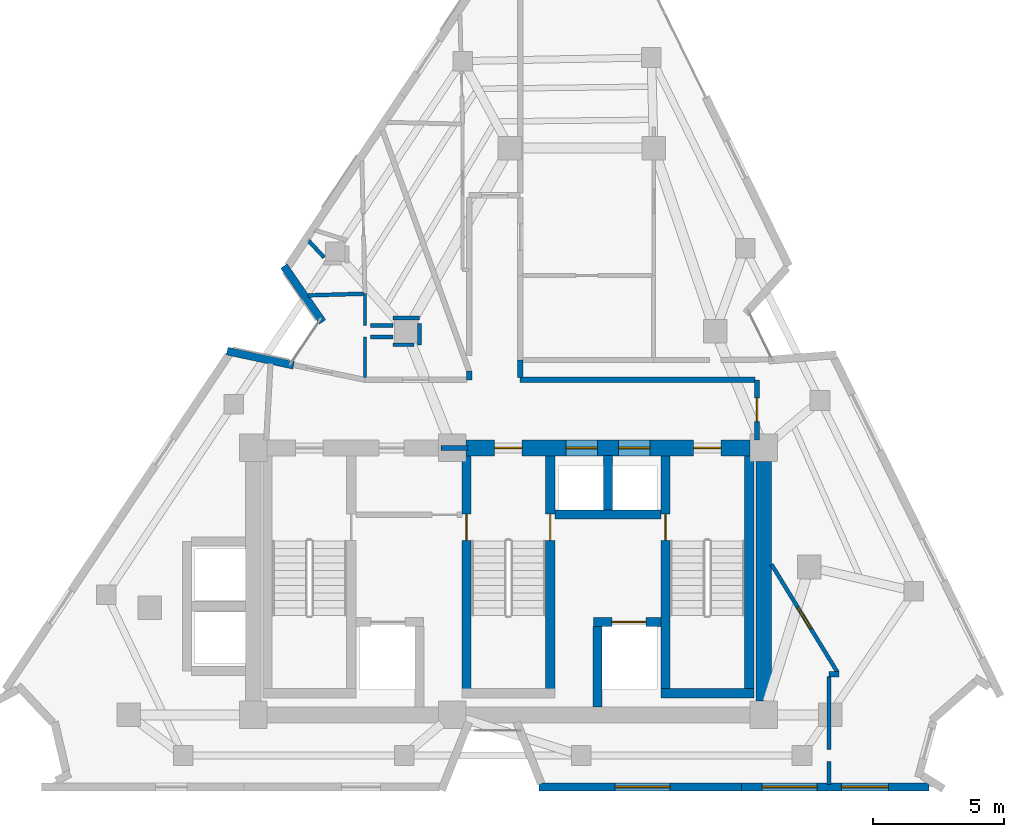
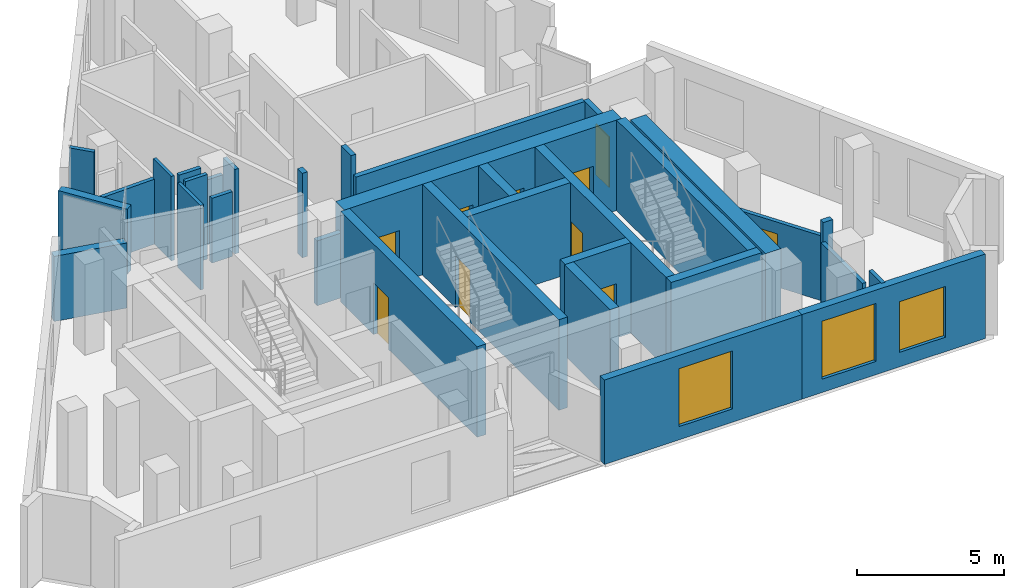
# One storey, part 6 of 10: 33 walls, 10 doors, 3 windows, 13 openings.
"""IFC4 building model written with IfcOpenShell, lengths in metres."""

from ifc_helpers import new_model, si_unit, direction, frame, frame_2d, origin, place, context, subcontext, project, spatial, rectangle, extrude, material, layer, layer_set, type_object, element, fill, save


model = new_model("IFC4")

# Units and contexts
model_context = context("Model", 3, precision=1e-05, world=origin(), true_north=direction((0.0, 1.0)))
body_context = subcontext(model_context, "Body", "Model", "MODEL_VIEW")
ifc_project = project(units=[si_unit("LENGTHUNIT", "METRE"), si_unit("AREAUNIT", "SQUARE_METRE"), si_unit("VOLUMEUNIT", "CUBIC_METRE"), si_unit("PLANEANGLEUNIT", "RADIAN"), si_unit("MASSUNIT", "GRAM", prefix="KILO")], contexts=[model_context])

# Site, building, storey
site_placement = place(None, origin())
site = spatial("IfcSite", under=ifc_project, at=site_placement, CompositionType="ELEMENT")
building_placement = place(site_placement, origin())
building = spatial("IfcBuilding", under=site, at=building_placement, Name="Almagre Mirador Tower", CompositionType="ELEMENT")
storey_placement = place(building_placement, frame((0.0, 0.0, 278.25)))
storey = spatial("IfcBuildingStorey", under=building, at=storey_placement, Name="L72", CompositionType="ELEMENT", Elevation=278.25)

# Walls
ifc_material_1 = material(Name="Precast concrete C50/60", Category="concrete")
ifc_layer_1 = layer(ifc_material_1, 0.300048828125)
ifc_layer_set_1 = layer_set([ifc_layer_1], Name="Precast concrete C50/60")
wall_type_1 = type_object("IfcWallType", Name="WAL-EXT-300", PredefinedType="SOLIDWALL", material=ifc_layer_set_1)
wall_1_placement = place(storey_placement, frame((26.55810546875, 18.44921875, 0.0), z_axis=(0.0, 0.0, 1.0), x_axis=(0.97796876057, -0.208751295443, 0.0)))
element("IfcWall", 1, at=wall_1_placement, inside=storey, type_object=wall_type_1, Name="L72 expressed almagre precast frame wall 01", PredefinedType="SOLIDWALL", context=body_context, shape_type="SweptSolid", body=[
    extrude(rectangle(XDim=2.593994140625, YDim=0.300048828125, at=frame_2d((1.296875, 0.0))), origin(), (0.0, 0.0, 1.0), 2.696044921875),
])
wall_2_placement = place(storey_placement, frame((30.197509765625, 19.559814453125, 0.0), z_axis=(0.0, 0.0, 1.0), x_axis=(-0.567515168171, 0.82336294178, 0.0)))
element("IfcWall", 2, at=wall_2_placement, inside=storey, type_object=wall_type_1, Name="L72 expressed almagre precast frame wall 02", PredefinedType="SOLIDWALL", context=body_context, shape_type="SweptSolid", body=[
    extrude(rectangle(XDim=2.59375, YDim=0.300048828125, at=frame_2d((1.296875, 0.0))), origin(), (0.0, 0.0, 1.0), 2.696044921875),
])

# Wall, openings, windows
wall_3_placement = place(storey_placement, frame((53.375, 1.800048828125, 0.0), z_axis=(0.0, 0.0, 1.0), x_axis=(-1.0, 0.0, 0.0)))
wall_3 = element("IfcWall", 3, at=wall_3_placement, inside=storey, type_object=wall_type_1, Name="L72 expressed almagre precast frame wall 18", PredefinedType="SOLIDWALL", context=body_context, shape_type="SweptSolid", body=[
    extrude(rectangle(XDim=7.175048828125, YDim=0.300048828125, at=frame_2d((3.58740234375, 0.0))), origin(), (0.0, 0.0, 1.0), 3.5),
])
opening_1_placement = place(wall_3_placement, frame((4.284912109375, 0.0, 0.550048828125)))
opening_1 = element("IfcOpeningElement", 4, at=opening_1_placement, cuts=wall_3, Name="Opening WN-05", PredefinedType="OPENING", context=body_context, shape_type="SweptSolid", body=[
    extrude(rectangle(XDim=2.10009765625, YDim=2.39990234375, at=frame_2d((1.050048828125, 1.199951171875))), frame((0.0, 0.159902, 0.0), z_axis=(0.0, -1.0, 0.0), x_axis=(1.0, 0.0, 0.0)), (0.0, 0.0, 1.0), 0.320049),
])
opening_2_placement = place(wall_3_placement, frame((1.56005859375, 0.0, 0.60009765625)))
opening_2 = element("IfcOpeningElement", 5, at=opening_2_placement, cuts=wall_3, Name="Opening WN-01", PredefinedType="OPENING", context=body_context, shape_type="SweptSolid", body=[
    extrude(rectangle(XDim=1.800048828125, YDim=2.10009765625, at=frame_2d((0.89990234375, 1.050048828125))), frame((0.0, 0.159902, 0.0), z_axis=(0.0, -1.0, 0.0), x_axis=(1.0, 0.0, 0.0)), (0.0, 0.0, 1.0), 0.320049),
])
ifc_material_2 = material(Name="Dark solar-control laminated hurricane glass", Category="glass")
window_type_1 = type_object("IfcWindowType", Name="WIN-1800X2100", PartitioningType="DOUBLE_PANEL_VERTICAL", PredefinedType="WINDOW", material=ifc_material_2)
window_1_placement = place(opening_2_placement, origin())
window_1 = element("IfcWindow", 6, at=window_1_placement, inside=storey, type_object=window_type_1, Name="L72 recessed hurricane window L72-UB-BT", OverallHeight=2.10009765625, OverallWidth=1.800048828125, PartitioningType="SINGLE_PANEL", PredefinedType="WINDOW", context=body_context, shape_type="SweptSolid", body=[
    extrude(rectangle(XDim=1.800048828125, YDim=2.10009765625, at=frame_2d((0.89990234375, 1.050048828125))), frame((0.0, 0.030029296875, 0.0), z_axis=(0.0, -1.0, 0.0), x_axis=(1.0, 0.0, 0.0)), (0.0, 0.0, 1.0), 0.06005859375),
])
fill(opening_2, window_1)
ifc_material_3 = material(Name="Dark solar-control laminated hurricane glass", Category="glass")
window_type_2 = type_object("IfcWindowType", Name="WIN-2100X2400", PartitioningType="DOUBLE_PANEL_VERTICAL", PredefinedType="WINDOW", material=ifc_material_3)
window_2_placement = place(opening_1_placement, origin())
window_2 = element("IfcWindow", 7, at=window_2_placement, inside=storey, type_object=window_type_2, Name="L72 recessed hurricane window L72-UB-KT", OverallHeight=2.39990234375, OverallWidth=2.10009765625, PartitioningType="SINGLE_PANEL", PredefinedType="WINDOW", context=body_context, shape_type="SweptSolid", body=[
    extrude(rectangle(XDim=2.10009765625, YDim=2.39990234375, at=frame_2d((1.050048828125, 1.199951171875))), frame((0.0, 0.030029296875, 0.0), z_axis=(0.0, -1.0, 0.0), x_axis=(1.0, 0.0, 0.0)), (0.0, 0.0, 1.0), 0.06005859375),
])
fill(opening_1, window_2)

# Wall, opening, window
wall_4_placement = place(storey_placement, frame((46.199951171875, 1.800048828125, 0.0), z_axis=(0.0, 0.0, 1.0), x_axis=(-1.0, 0.0, 0.0)))
wall_4 = element("IfcWall", 8, at=wall_4_placement, inside=storey, type_object=wall_type_1, Name="L72 expressed almagre precast frame wall 19", PredefinedType="SOLIDWALL", context=body_context, shape_type="SweptSolid", body=[
    extrude(rectangle(XDim=7.739990234375, YDim=0.300048828125, at=frame_2d((3.8701171875, 0.0))), origin(), (0.0, 0.0, 1.0), 3.5),
])
opening_3_placement = place(wall_4_placement, frame((2.72509765625, 0.0, 0.550048828125)))
opening_3 = element("IfcOpeningElement", 9, at=opening_3_placement, cuts=wall_4, Name="Opening WN-05", PredefinedType="OPENING", context=body_context, shape_type="SweptSolid", body=[
    extrude(rectangle(XDim=2.10009765625, YDim=2.39990234375, at=frame_2d((1.050048828125, 1.199951171875))), frame((0.0, 0.159902, 0.0), z_axis=(0.0, -1.0, 0.0), x_axis=(1.0, 0.0, 0.0)), (0.0, 0.0, 1.0), 0.320049),
])
window_3_placement = place(opening_3_placement, origin())
window_3 = element("IfcWindow", 10, at=window_3_placement, inside=storey, type_object=window_type_2, Name="L72 recessed hurricane window L72-UB-ST", OverallHeight=2.39990234375, OverallWidth=2.10009765625, PartitioningType="SINGLE_PANEL", PredefinedType="WINDOW", context=body_context, shape_type="SweptSolid", body=[
    extrude(rectangle(XDim=2.10009765625, YDim=2.39990234375, at=frame_2d((1.050048828125, 1.199951171875))), frame((0.0, 0.030029296875, 0.0), z_axis=(0.0, -1.0, 0.0), x_axis=(1.0, 0.0, 0.0)), (0.0, 0.0, 1.0), 0.06005859375),
])
fill(opening_3, window_3)

# Walls
ifc_material_4 = material(Name="Gypsum acoustic stud partition", Category="other")
ifc_layer_2 = layer(ifc_material_4, 0.125)
ifc_layer_set_2 = layer_set([ifc_layer_2], Name="Gypsum acoustic stud partition")
wall_type_2 = type_object("IfcWallType", Name="WAL-PRT-125-UTL", PredefinedType="PARTITIONING", material=ifc_layer_set_2)
wall_5_placement = place(storey_placement, frame((31.820068359375, 18.97998046875, 0.0), z_axis=(0.0, 0.0, 1.0), x_axis=(0.0, -1.0, 0.0)))
element("IfcWall", 11, at=wall_5_placement, inside=storey, type_object=wall_type_2, Name="L72 interior partition 039", PredefinedType="PARTITIONING", context=body_context, shape_type="SweptSolid", body=[
    extrude(rectangle(XDim=1.544921875, YDim=0.125, at=frame_2d((0.7724609375, 0.0))), origin(), (0.0, 0.0, 1.0), 3.5),
])
wall_6_placement = place(storey_placement, frame((31.820068359375, 20.639892578125, 0.0), z_axis=(0.0, 0.0, 1.0), x_axis=(0.0, -1.0, 0.0)))
element("IfcWall", 12, at=wall_6_placement, inside=storey, type_object=wall_type_2, Name="L72 interior partition 040", PredefinedType="PARTITIONING", context=body_context, shape_type="SweptSolid", body=[
    extrude(rectangle(XDim=1.219970703125, YDim=0.125, at=frame_2d((0.60986328125, 0.0))), origin(), (0.0, 0.0, 1.0), 3.5),
])

# Wall, opening, door
ifc_material_5 = material(Name="Gypsum acoustic stud partition", Category="other")
ifc_layer_3 = layer(ifc_material_5, 0.14990234375)
ifc_layer_set_3 = layer_set([ifc_layer_3], Name="Gypsum acoustic stud partition")
wall_type_3 = type_object("IfcWallType", Name="WAL-PRT-150-STD", PredefinedType="PARTITIONING", material=ifc_layer_set_3)
wall_7_placement = place(storey_placement, frame((49.87548828125, 6.172607421875, 0.0), z_axis=(0.0, 0.0, 1.0), x_axis=(-0.521911175453, 0.852999838767, 0.0)))
wall_7 = element("IfcWall", 13, at=wall_7_placement, inside=storey, type_object=wall_type_3, Name="L72 interior partition 025", PredefinedType="PARTITIONING", context=body_context, shape_type="SweptSolid", body=[
    extrude(rectangle(XDim=4.838623046875, YDim=0.14990234375, at=frame_2d((2.41943359375, 0.0))), origin(), (0.0, 0.0, 1.0), 2.68505859375),
])
opening_4_placement = place(wall_7_placement, frame((1.96142578125, 0.0, 0.0)))
opening_4 = element("IfcOpeningElement", 14, at=opening_4_placement, cuts=wall_7, Name="Opening UD-01", PredefinedType="OPENING", context=body_context, shape_type="SweptSolid", body=[
    extrude(rectangle(XDim=0.949951171875, YDim=2.199951171875, at=frame_2d((0.47509765625, 1.10009765625))), frame((0.0, 0.084951, 0.0), z_axis=(0.0, -1.0, 0.0), x_axis=(1.0, 0.0, 0.0)), (0.0, 0.0, 1.0), 0.169902),
])
ifc_material_6 = material(Name="Solid American walnut timber", Category="wood")
door_type_1 = type_object("IfcDoorType", Name="DOR-UNR-950X2200", OperationType="NOTDEFINED", PredefinedType="DOOR", material=ifc_material_6)
door_1_placement = place(opening_4_placement, origin())
door_1 = element("IfcDoor", 15, at=door_1_placement, inside=storey, type_object=door_type_1, Name="DR-2180 L72 interior door L72-UB-STP2 to L72-RST-E", OperationType="SINGLE_SWING_LEFT", OverallHeight=2.199951171875, OverallWidth=0.949951171875, PredefinedType="DOOR", context=body_context, shape_type="SweptSolid", body=[
    extrude(rectangle(XDim=0.949951171875, YDim=2.199951171875, at=frame_2d((0.47509765625, 1.10009765625))), frame((0.0, 0.02490234375, 0.0), z_axis=(0.0, -1.0, 0.0), x_axis=(1.0, 0.0, 0.0)), (0.0, 0.0, 1.0), 0.050048828125),
])
fill(opening_4, door_1)

# Walls
wall_8_placement = place(storey_placement, frame((49.5400390625, 1.89990234375, 0.0), z_axis=(0.0, 0.0, 1.0), x_axis=(0.0, 1.0, 0.0)))
element("IfcWall", 16, at=wall_8_placement, inside=storey, type_object=wall_type_3, Name="L72 interior partition 026", PredefinedType="PARTITIONING", context=body_context, shape_type="SweptSolid", body=[
    extrude(rectangle(XDim=0.880126953125, YDim=0.14990234375, at=frame_2d((0.43994140625, 0.0))), origin(), (0.0, 0.0, 1.0), 3.5),
])
wall_9_placement = place(storey_placement, frame((49.5400390625, 3.219970703125, 0.0), z_axis=(0.0, 0.0, 1.0), x_axis=(0.0, 1.0, 0.0)))
element("IfcWall", 17, at=wall_9_placement, inside=storey, type_object=wall_type_3, Name="L72 interior partition 027", PredefinedType="PARTITIONING", context=body_context, shape_type="SweptSolid", body=[
    extrude(rectangle(XDim=2.794921875, YDim=0.14990234375, at=frame_2d((1.3974609375, 0.0))), origin(), (0.0, 0.0, 1.0), 2.69091796875),
])
wall_10_placement = place(storey_placement, frame((29.64208984375, 20.573974609375, 0.0), z_axis=(0.0, 0.0, 1.0), x_axis=(0.999533749868, 0.030533307633, 0.0)))
element("IfcWall", 18, at=wall_10_placement, inside=storey, type_object=wall_type_3, Name="L72 interior partition 042", PredefinedType="PARTITIONING", context=body_context, shape_type="SweptSolid", body=[
    extrude(rectangle(XDim=2.118896484375, YDim=0.14990234375, at=frame_2d((1.0595703125, 0.0))), origin(), (0.0, 0.0, 1.0), 2.69091796875),
])
wall_11_placement = place(storey_placement, frame((30.260009765625, 22.02490234375, 0.0), z_axis=(0.0, 0.0, 1.0), x_axis=(-0.680323017409, 0.732912404031, 0.0)))
element("IfcWall", 19, at=wall_11_placement, inside=storey, type_object=wall_type_3, Name="L72 interior partition 063", PredefinedType="PARTITIONING", context=body_context, shape_type="SweptSolid", body=[
    extrude(rectangle(XDim=0.87744140625, YDim=0.14990234375, at=frame_2d((0.438720703125, 0.0))), origin(), (0.0, 0.0, 1.0), 3.5),
])
wall_12_placement = place(storey_placement, frame((32.02294921875, 19.419921875, 0.0), z_axis=(0.0, 0.0, 1.0), x_axis=(1.0, 0.0, 0.0)))
element("IfcWall", 20, at=wall_12_placement, inside=storey, type_object=wall_type_3, Name="L72 interior partition 065", PredefinedType="PARTITIONING", context=body_context, shape_type="SweptSolid", body=[
    extrude(rectangle(XDim=0.866943359375, YDim=0.14990234375, at=frame_2d((0.43359375, 0.0))), origin(), (0.0, 0.0, 1.0), 3.5),
])
wall_13_placement = place(storey_placement, frame((32.889892578125, 19.7099609375, 0.0), z_axis=(0.0, 0.0, 1.0), x_axis=(1.0, 0.0, 0.0)))
element("IfcWall", 21, at=wall_13_placement, inside=storey, type_object=wall_type_3, Name="L72 interior partition 066", PredefinedType="PARTITIONING", context=body_context, shape_type="SweptSolid", body=[
    extrude(rectangle(XDim=1.02001953125, YDim=0.14990234375, at=frame_2d((0.510009765625, 0.0))), origin(), (0.0, 0.0, 1.0), 2.68505859375),
])
wall_14_placement = place(storey_placement, frame((33.909912109375, 19.4951171875, 0.0), z_axis=(0.0, 0.0, 1.0), x_axis=(0.0, -1.0, 0.0)))
element("IfcWall", 22, at=wall_14_placement, inside=storey, type_object=wall_type_3, Name="L72 interior partition 067", PredefinedType="PARTITIONING", context=body_context, shape_type="SweptSolid", body=[
    extrude(rectangle(XDim=0.80517578125, YDim=0.14990234375, at=frame_2d((0.402587890625, 0.0))), origin(), (0.0, 0.0, 1.0), 3.5),
])
wall_15_placement = place(storey_placement, frame((33.695068359375, 18.68994140625, 0.0), z_axis=(0.0, 0.0, 1.0), x_axis=(-1.0, 0.0, 0.0)))
element("IfcWall", 23, at=wall_15_placement, inside=storey, type_object=wall_type_3, Name="L72 interior partition 068", PredefinedType="PARTITIONING", context=body_context, shape_type="SweptSolid", body=[
    extrude(rectangle(XDim=0.80517578125, YDim=0.14990234375, at=frame_2d((0.402587890625, 0.0))), origin(), (0.0, 0.0, 1.0), 2.68505859375),
])
wall_16_placement = place(storey_placement, frame((32.889892578125, 18.97998046875, 0.0), z_axis=(0.0, 0.0, 1.0), x_axis=(-1.0, 0.0, 0.0)))
element("IfcWall", 24, at=wall_16_placement, inside=storey, type_object=wall_type_3, Name="L72 interior partition 069", PredefinedType="PARTITIONING", context=body_context, shape_type="SweptSolid", body=[
    extrude(rectangle(XDim=0.866943359375, YDim=0.14990234375, at=frame_2d((0.43359375, 0.0))), origin(), (0.0, 0.0, 1.0), 3.5),
])
ifc_material_7 = material(Name="Gypsum acoustic stud partition", Category="other")
ifc_layer_4 = layer(ifc_material_7, 0.199951171875)
ifc_layer_set_4 = layer_set([ifc_layer_4], Name="Gypsum acoustic stud partition")
wall_type_4 = type_object("IfcWallType", Name="WAL-PRT-200-EI60", PredefinedType="PARTITIONING", material=ifc_layer_set_4)
wall_17_placement = place(storey_placement, frame((34.719970703125, 14.75, 0.0), z_axis=(0.0, 0.0, 1.0), x_axis=(1.0, 0.0, 0.0)))
element("IfcWall", 25, at=wall_17_placement, inside=storey, type_object=wall_type_4, Name="L72 core north closure wall", PredefinedType="PARTITIONING", context=body_context, shape_type="SweptSolid", body=[
    extrude(rectangle(XDim=1.030029296875, YDim=0.199951171875, at=frame_2d((0.51513671875, 0.0))), origin(), (0.0, 0.0, 1.0), 2.68505859375),
])

# Wall, opening, door
wall_18_placement = place(storey_placement, frame((46.800048828125, 15.050048828125, 0.0), z_axis=(0.0, 0.0, 1.0), x_axis=(0.0, 1.0, 0.0)))
wall_18 = element("IfcWall", 26, at=wall_18_placement, inside=storey, type_object=wall_type_4, Name="L72 interior partition 002", PredefinedType="PARTITIONING", context=body_context, shape_type="SweptSolid", body=[
    extrude(rectangle(XDim=2.300048828125, YDim=0.199951171875, at=frame_2d((1.14990234375, 0.0))), origin(), (0.0, 0.0, 1.0), 2.68505859375),
])
opening_5_placement = place(wall_18_placement, frame((0.699951171875, 0.0, 0.0)))
opening_5 = element("IfcOpeningElement", 27, at=opening_5_placement, cuts=wall_18, Name="Opening ID-03", PredefinedType="OPENING", context=body_context, shape_type="SweptSolid", body=[
    extrude(rectangle(XDim=0.89990234375, YDim=2.10009765625, at=frame_2d((0.449951171875, 1.050048828125))), frame((0.0, 0.110098, 0.0), z_axis=(0.0, -1.0, 0.0), x_axis=(1.0, 0.0, 0.0)), (0.0, 0.0, 1.0), 0.219951),
])
ifc_material_8 = material(Name="Fire-rated hollow steel", Category="steel")
door_type_2 = type_object("IfcDoorType", Name="DOR-FD60-900X2100", OperationType="NOTDEFINED", PredefinedType="DOOR", material=ifc_material_8)
door_2_placement = place(opening_5_placement, origin())
door_2 = element("IfcDoor", 28, at=door_2_placement, inside=storey, type_object=door_type_2, Name="DR-2171 L72 interior door L72-RCOR to L72-RST-E", OperationType="SINGLE_SWING_LEFT", OverallHeight=2.10009765625, OverallWidth=0.89990234375, PredefinedType="DOOR", context=body_context, shape_type="SweptSolid", body=[
    extrude(rectangle(XDim=0.89990234375, YDim=2.10009765625, at=frame_2d((0.449951171875, 1.050048828125))), frame((0.0, 0.02490234375, 0.0), z_axis=(0.0, -1.0, 0.0), x_axis=(1.0, 0.0, 0.0)), (0.0, 0.0, 1.0), 0.050048828125),
])
fill(opening_5, door_2)

# Walls
wall_19_placement = place(storey_placement, frame((46.715087890625, 17.35009765625, 0.0), z_axis=(0.0, 0.0, 1.0), x_axis=(-1.0, 0.0, 0.0)))
element("IfcWall", 29, at=wall_19_placement, inside=storey, type_object=wall_type_4, Name="L72 interior partition 003", PredefinedType="PARTITIONING", context=body_context, shape_type="SweptSolid", body=[
    extrude(rectangle(XDim=8.965087890625, YDim=0.199951171875, at=frame_2d((4.482421875, 0.0))), origin(), (0.0, 0.0, 1.0), 2.68505859375),
])
wall_20_placement = place(storey_placement, frame((37.75, 17.43505859375, 0.0), z_axis=(0.0, 0.0, 1.0), x_axis=(0.0, 1.0, 0.0)))
element("IfcWall", 30, at=wall_20_placement, inside=storey, type_object=wall_type_4, Name="L72 interior partition 004", PredefinedType="PARTITIONING", context=body_context, shape_type="SweptSolid", body=[
    extrude(rectangle(XDim=0.675048828125, YDim=0.199951171875, at=frame_2d((0.33740234375, 0.0))), origin(), (0.0, 0.0, 1.0), 3.5),
])
wall_21_placement = place(storey_placement, frame((35.800048828125, 17.679931640625, 0.0), z_axis=(0.0, 0.0, 1.0), x_axis=(0.0, -1.0, 0.0)))
element("IfcWall", 31, at=wall_21_placement, inside=storey, type_object=wall_type_4, Name="L72 interior partition 005", PredefinedType="PARTITIONING", context=body_context, shape_type="SweptSolid", body=[
    extrude(rectangle(XDim=0.329833984375, YDim=0.199951171875, at=frame_2d((0.1650390625, 0.0))), origin(), (0.0, 0.0, 1.0), 3.5),
])
wall_22_placement = place(storey_placement, frame((49.5400390625, 6.10009765625, 0.0), z_axis=(0.0, 0.0, 1.0), x_axis=(1.0, 0.0, 0.0)))
element("IfcWall", 32, at=wall_22_placement, inside=storey, type_object=wall_type_4, Name="L72 interior partition 024", PredefinedType="PARTITIONING", context=body_context, shape_type="SweptSolid", body=[
    extrude(rectangle(XDim=0.3798828125, YDim=0.199951171875, at=frame_2d((0.18994140625, 0.0))), origin(), (0.0, 0.0, 1.0), 3.5),
])

# Wall, opening, door
ifc_material_9 = material(Name="Concrete C60/75", Category="concrete")
ifc_layer_5 = layer(ifc_material_9, 0.35009765625)
ifc_layer_set_5 = layer_set([ifc_layer_5], Name="Concrete C60/75")
wall_type_5 = type_object("IfcWallType", Name="WAL-SHF-350", PredefinedType="SOLIDWALL", material=ifc_layer_set_5)
wall_23_placement = place(storey_placement, frame((35.699951171875, 5.199951171875, 0.0), z_axis=(0.0, 0.0, 1.0), x_axis=(0.0, 1.0, 0.0)))
wall_23 = element("IfcWall", 33, at=wall_23_placement, inside=storey, type_object=wall_type_5, Name="L72 shaft wall ST2-W", PredefinedType="SOLIDWALL", context=body_context, shape_type="SweptSolid", body=[
    extrude(rectangle(XDim=9.25, YDim=0.35009765625, at=frame_2d((4.625, 0.0))), origin(), (0.0, 0.0, 1.0), 3.75),
])
opening_6_placement = place(wall_23_placement, frame((6.02001953125, 0.0, 0.0)))
opening_6 = element("IfcOpeningElement", 34, at=opening_6_placement, cuts=wall_23, Name="Opening FD-01", PredefinedType="OPENING", context=body_context, shape_type="SweptSolid", body=[
    extrude(rectangle(XDim=1.0, YDim=2.14990234375, at=frame_2d((0.5, 1.074951171875))), frame((0.0, 0.185049, 0.0), z_axis=(0.0, -1.0, 0.0), x_axis=(1.0, 0.0, 0.0)), (0.0, 0.0, 1.0), 0.370098),
])
ifc_material_10 = material(Name="Fire-rated hollow steel", Category="steel")
door_type_3 = type_object("IfcDoorType", Name="DOR-FFL-1000X2150", OperationType="NOTDEFINED", PredefinedType="DOOR", material=ifc_material_10)
door_3_placement = place(opening_6_placement, origin())
door_3 = element("IfcDoor", 35, at=door_3_placement, inside=storey, type_object=door_type_3, Name="DR-2168 L72 FFL1-ST2 smokeproof door", OperationType="SINGLE_SWING_LEFT", OverallHeight=2.14990234375, OverallWidth=1.0, PredefinedType="DOOR", context=body_context, shape_type="SweptSolid", body=[
    extrude(rectangle(XDim=1.0, YDim=2.14990234375, at=frame_2d((0.5, 1.074951171875))), frame((0.0, 0.02490234375, 0.0), z_axis=(0.0, -1.0, 0.0), x_axis=(1.0, 0.0, 0.0)), (0.0, 0.0, 1.0), 0.050048828125),
])
fill(opening_6, door_3)

wall_24_placement = place(storey_placement, frame((38.89990234375, 5.199951171875, 0.0), z_axis=(0.0, 0.0, 1.0), x_axis=(0.0, 1.0, 0.0)))
wall_24 = element("IfcWall", 36, at=wall_24_placement, inside=storey, type_object=wall_type_5, Name="L72 shaft wall ST2-E", PredefinedType="SOLIDWALL", context=body_context, shape_type="SweptSolid", body=[
    extrude(rectangle(XDim=9.25, YDim=0.35009765625, at=frame_2d((4.625, 0.0))), origin(), (0.0, 0.0, 1.0), 3.75),
])
opening_7_placement = place(wall_24_placement, frame((6.02001953125, 0.0, 0.0)))
opening_7 = element("IfcOpeningElement", 37, at=opening_7_placement, cuts=wall_24, Name="Opening FD-01", PredefinedType="OPENING", context=body_context, shape_type="SweptSolid", body=[
    extrude(rectangle(XDim=1.0, YDim=2.14990234375, at=frame_2d((0.5, 1.074951171875))), frame((0.0, 0.185049, 0.0), z_axis=(0.0, -1.0, 0.0), x_axis=(1.0, 0.0, 0.0)), (0.0, 0.0, 1.0), 0.370098),
])
door_4_placement = place(opening_7_placement, origin())
door_4 = element("IfcDoor", 38, at=door_4_placement, inside=storey, type_object=door_type_3, Name="DR-2169 L72 FFL2-ST2 smokeproof door", OperationType="SINGLE_SWING_RIGHT", OverallHeight=2.14990234375, OverallWidth=1.0, PredefinedType="DOOR", context=body_context, shape_type="SweptSolid", body=[
    extrude(rectangle(XDim=1.0, YDim=2.14990234375, at=frame_2d((0.5, 1.074951171875))), frame((0.0, 0.02490234375, 0.0), z_axis=(0.0, -1.0, 0.0), x_axis=(1.0, 0.0, 0.0)), (0.0, 0.0, 1.0), 0.050048828125),
])
fill(opening_7, door_4)

wall_25_placement = place(storey_placement, frame((43.300048828125, 5.199951171875, 0.0), z_axis=(0.0, 0.0, 1.0), x_axis=(0.0, 1.0, 0.0)))
wall_25 = element("IfcWall", 39, at=wall_25_placement, inside=storey, type_object=wall_type_5, Name="L72 shaft wall ST3-W", PredefinedType="SOLIDWALL", context=body_context, shape_type="SweptSolid", body=[
    extrude(rectangle(XDim=9.25, YDim=0.35009765625, at=frame_2d((4.625, 0.0))), origin(), (0.0, 0.0, 1.0), 3.75),
])
opening_8_placement = place(wall_25_placement, frame((6.02001953125, 0.0, 0.0)))
opening_8 = element("IfcOpeningElement", 40, at=opening_8_placement, cuts=wall_25, Name="Opening FD-01", PredefinedType="OPENING", context=body_context, shape_type="SweptSolid", body=[
    extrude(rectangle(XDim=1.0, YDim=2.14990234375, at=frame_2d((0.5, 1.074951171875))), frame((0.0, 0.185049, 0.0), z_axis=(0.0, -1.0, 0.0), x_axis=(1.0, 0.0, 0.0)), (0.0, 0.0, 1.0), 0.370098),
])
door_5_placement = place(opening_8_placement, origin())
door_5 = element("IfcDoor", 41, at=door_5_placement, inside=storey, type_object=door_type_3, Name="DR-2170 L72 FFL2-ST3 smokeproof door", OperationType="SINGLE_SWING_LEFT", OverallHeight=2.14990234375, OverallWidth=1.0, PredefinedType="DOOR", context=body_context, shape_type="SweptSolid", body=[
    extrude(rectangle(XDim=1.0, YDim=2.14990234375, at=frame_2d((0.5, 1.074951171875))), frame((0.0, 0.02490234375, 0.0), z_axis=(0.0, -1.0, 0.0), x_axis=(1.0, 0.0, 0.0)), (0.0, 0.0, 1.0), 0.050048828125),
])
fill(opening_8, door_5)

# Walls
wall_26_placement = place(storey_placement, frame((46.5, 5.199951171875, 0.0), z_axis=(0.0, 0.0, 1.0), x_axis=(0.0, 1.0, 0.0)))
element("IfcWall", 42, at=wall_26_placement, inside=storey, type_object=wall_type_5, Name="L72 shaft wall ST3-E", PredefinedType="SOLIDWALL", context=body_context, shape_type="SweptSolid", body=[
    extrude(rectangle(XDim=9.25, YDim=0.35009765625, at=frame_2d((4.625, 0.0))), origin(), (0.0, 0.0, 1.0), 3.75),
])
wall_27_placement = place(storey_placement, frame((43.125, 5.375, 0.0), z_axis=(0.0, 0.0, 1.0), x_axis=(1.0, 0.0, 0.0)))
element("IfcWall", 43, at=wall_27_placement, inside=storey, type_object=wall_type_5, Name="L72 shaft wall ST3-S", PredefinedType="SOLIDWALL", context=body_context, shape_type="SweptSolid", body=[
    extrude(rectangle(XDim=3.550048828125, YDim=0.35009765625, at=frame_2d((1.77490234375, 0.0))), origin(), (0.0, 0.0, 1.0), 3.75),
])

# Wall, opening, door
wall_28_placement = place(storey_placement, frame((40.550048828125, 8.10009765625, 0.0), z_axis=(0.0, 0.0, 1.0), x_axis=(1.0, 0.0, 0.0)))
wall_28 = element("IfcWall", 44, at=wall_28_placement, inside=storey, type_object=wall_type_5, Name="L72 shaft wall FSAE2-N", PredefinedType="SOLIDWALL", context=body_context, shape_type="SweptSolid", body=[
    extrude(rectangle(XDim=2.574951171875, YDim=0.35009765625, at=frame_2d((1.28759765625, 0.0))), origin(), (0.0, 0.0, 1.0), 3.75),
])
opening_9_placement = place(wall_28_placement, frame((0.699951171875, 0.0, 0.0)))
opening_9 = element("IfcOpeningElement", 45, at=opening_9_placement, cuts=wall_28, Name="Opening LD-03", PredefinedType="OPENING", context=body_context, shape_type="SweptSolid", body=[
    extrude(rectangle(XDim=1.300048828125, YDim=2.25, at=frame_2d((0.64990234375, 1.125))), frame((0.0, 0.185049, 0.0), z_axis=(0.0, -1.0, 0.0), x_axis=(1.0, 0.0, 0.0)), (0.0, 0.0, 1.0), 0.370098),
])
ifc_material_11 = material(Name="Hollow stainless steel", Category="steel")
door_type_4 = type_object("IfcDoorType", Name="DOR-LD-1300X2250", OperationType="DOUBLE_DOOR_SLIDING", PredefinedType="DOOR", material=ifc_material_11)
door_6_placement = place(opening_9_placement, origin())
door_6 = element("IfcDoor", 46, at=door_6_placement, inside=storey, type_object=door_type_4, Name="DR-2183 L72 FSAE-2 lift landing door", OperationType="DOUBLE_DOOR_SLIDING", OverallHeight=2.25, OverallWidth=1.300048828125, PredefinedType="DOOR", context=body_context, shape_type="SweptSolid", body=[
    extrude(rectangle(XDim=1.300048828125, YDim=2.25, at=frame_2d((0.64990234375, 1.125))), frame((0.0, 0.02490234375, 0.0), z_axis=(0.0, -1.0, 0.0), x_axis=(1.0, 0.0, 0.0)), (0.0, 0.0, 1.0), 0.050048828125),
])
fill(opening_9, door_6)

# Walls
wall_29_placement = place(storey_placement, frame((40.699951171875, 4.85009765625, 0.0), z_axis=(0.0, 0.0, 1.0), x_axis=(0.0, 1.0, 0.0)))
element("IfcWall", 47, at=wall_29_placement, inside=storey, type_object=wall_type_5, Name="L72 shaft wall FSAE2-W", PredefinedType="SOLIDWALL", context=body_context, shape_type="SweptSolid", body=[
    extrude(rectangle(XDim=3.074951171875, YDim=0.35009765625, at=frame_2d((1.53759765625, 0.0))), origin(), (0.0, 0.0, 1.0), 3.75),
])
wall_30_placement = place(storey_placement, frame((39.074951171875, 12.199951171875, 0.0), z_axis=(0.0, 0.0, 1.0), x_axis=(1.0, 0.0, 0.0)))
element("IfcWall", 48, at=wall_30_placement, inside=storey, type_object=wall_type_5, Name="L72 shaft wall PLH-S", PredefinedType="SOLIDWALL", context=body_context, shape_type="SweptSolid", body=[
    extrude(rectangle(XDim=4.050048828125, YDim=0.35009765625, at=frame_2d((2.02490234375, 0.0))), origin(), (0.0, 0.0, 1.0), 3.75),
])
wall_31_placement = place(storey_placement, frame((41.10009765625, 12.375, 0.0), z_axis=(0.0, 0.0, 1.0), x_axis=(0.0, 1.0, 0.0)))
element("IfcWall", 49, at=wall_31_placement, inside=storey, type_object=wall_type_5, Name="L72 shaft wall PLH-M", PredefinedType="SOLIDWALL", context=body_context, shape_type="SweptSolid", body=[
    extrude(rectangle(XDim=2.074951171875, YDim=0.35009765625, at=frame_2d((1.03759765625, 0.0))), origin(), (0.0, 0.0, 1.0), 3.75),
])

# Wall, openings, doors
ifc_material_12 = material(Name="Concrete C60/75", Category="concrete")
ifc_layer_6 = layer(ifc_material_12, 0.60009765625)
ifc_layer_set_6 = layer_set([ifc_layer_6], Name="Concrete C60/75")
wall_type_6 = type_object("IfcWallType", Name="WAL-SHR-600", PredefinedType="SHEAR", material=ifc_layer_set_6)
wall_32_placement = place(storey_placement, frame((35.675048828125, 14.75, 0.0), z_axis=(0.0, 0.0, 1.0), x_axis=(1.0, 0.0, 0.0)))
wall_32 = element("IfcWall", 50, at=wall_32_placement, inside=storey, type_object=wall_type_6, Name="L72 core shear wall N2", PredefinedType="SHEAR", context=body_context, shape_type="SweptSolid", body=[
    extrude(rectangle(XDim=10.849853515625, YDim=0.60009765625, at=frame_2d((5.4248046875, 0.0))), origin(), (0.0, 0.0, 1.0), 3.75),
])
opening_10_placement = place(wall_32_placement, frame((1.10009765625, 0.0, 0.0)))
opening_10 = element("IfcOpeningElement", 51, at=opening_10_placement, cuts=wall_32, Name="Opening SD-01", PredefinedType="OPENING", context=body_context, shape_type="SweptSolid", body=[
    extrude(rectangle(XDim=1.050048828125, YDim=2.14990234375, at=frame_2d((0.52490234375, 1.074951171875))), frame((0.0, 0.310049, 0.0), z_axis=(0.0, -1.0, 0.0), x_axis=(1.0, 0.0, 0.0)), (0.0, 0.0, 1.0), 0.620098),
])
opening_11_placement = place(wall_32_placement, frame((8.699951171875, 0.0, 0.0)))
opening_11 = element("IfcOpeningElement", 52, at=opening_11_placement, cuts=wall_32, Name="Opening SD-01", PredefinedType="OPENING", context=body_context, shape_type="SweptSolid", body=[
    extrude(rectangle(XDim=1.050048828125, YDim=2.14990234375, at=frame_2d((0.52490234375, 1.074951171875))), frame((0.0, 0.310049, 0.0), z_axis=(0.0, -1.0, 0.0), x_axis=(1.0, 0.0, 0.0)), (0.0, 0.0, 1.0), 0.620098),
])
opening_12_placement = place(wall_32_placement, frame((3.824951171875, 0.0, 0.0)))
opening_12 = element("IfcOpeningElement", 53, at=opening_12_placement, cuts=wall_32, Name="Opening LD-02", PredefinedType="OPENING", context=body_context, shape_type="SweptSolid", body=[
    extrude(rectangle(XDim=1.199951171875, YDim=2.199951171875, at=frame_2d((0.60009765625, 1.10009765625))), frame((0.0, 0.310049, 0.0), z_axis=(0.0, -1.0, 0.0), x_axis=(1.0, 0.0, 0.0)), (0.0, 0.0, 1.0), 0.620098),
])
opening_13_placement = place(wall_32_placement, frame((5.824951171875, 0.0, 0.0)))
opening_13 = element("IfcOpeningElement", 54, at=opening_13_placement, cuts=wall_32, Name="Opening LD-02", PredefinedType="OPENING", context=body_context, shape_type="SweptSolid", body=[
    extrude(rectangle(XDim=1.199951171875, YDim=2.199951171875, at=frame_2d((0.60009765625, 1.10009765625))), frame((0.0, 0.310049, 0.0), z_axis=(0.0, -1.0, 0.0), x_axis=(1.0, 0.0, 0.0)), (0.0, 0.0, 1.0), 0.620098),
])
ifc_material_13 = material(Name="Hollow stainless steel", Category="steel")
door_type_5 = type_object("IfcDoorType", Name="DOR-LD-1200X2200", OperationType="DOUBLE_DOOR_SLIDING", PredefinedType="DOOR", material=ifc_material_13)
door_7_placement = place(opening_12_placement, origin())
door_7 = element("IfcDoor", 55, at=door_7_placement, inside=storey, type_object=door_type_5, Name="DR-2184 L72 PL-H1 lift landing door", OperationType="DOUBLE_DOOR_SLIDING", OverallHeight=2.199951171875, OverallWidth=1.199951171875, PredefinedType="DOOR", context=body_context, shape_type="SweptSolid", body=[
    extrude(rectangle(XDim=1.199951171875, YDim=2.199951171875, at=frame_2d((0.60009765625, 1.10009765625))), frame((0.0, 0.02490234375, 0.0), z_axis=(0.0, -1.0, 0.0), x_axis=(1.0, 0.0, 0.0)), (0.0, 0.0, 1.0), 0.050048828125),
])
fill(opening_12, door_7)
door_8_placement = place(opening_13_placement, origin())
door_8 = element("IfcDoor", 56, at=door_8_placement, inside=storey, type_object=door_type_5, Name="DR-2185 L72 PL-H2 lift landing door", OperationType="DOUBLE_DOOR_SLIDING", OverallHeight=2.199951171875, OverallWidth=1.199951171875, PredefinedType="DOOR", context=body_context, shape_type="SweptSolid", body=[
    extrude(rectangle(XDim=1.199951171875, YDim=2.199951171875, at=frame_2d((0.60009765625, 1.10009765625))), frame((0.0, 0.02490234375, 0.0), z_axis=(0.0, -1.0, 0.0), x_axis=(1.0, 0.0, 0.0)), (0.0, 0.0, 1.0), 0.050048828125),
])
fill(opening_13, door_8)
ifc_material_14 = material(Name="Fire-rated hollow steel", Category="steel")
door_type_6 = type_object("IfcDoorType", Name="DOR-ST-1050X2150", OperationType="NOTDEFINED", PredefinedType="DOOR", material=ifc_material_14)
door_9_placement = place(opening_10_placement, origin())
door_9 = element("IfcDoor", 57, at=door_9_placement, inside=storey, type_object=door_type_6, Name="DR-2187 L72 protected exit stair ST-2 door", OperationType="SINGLE_SWING_RIGHT", OverallHeight=2.14990234375, OverallWidth=1.050048828125, PredefinedType="DOOR", context=body_context, shape_type="SweptSolid", body=[
    extrude(rectangle(XDim=1.050048828125, YDim=2.14990234375, at=frame_2d((0.52490234375, 1.074951171875))), frame((0.0, 0.02490234375, 0.0), z_axis=(0.0, -1.0, 0.0), x_axis=(1.0, 0.0, 0.0)), (0.0, 0.0, 1.0), 0.050048828125),
])
fill(opening_10, door_9)
door_10_placement = place(opening_11_placement, origin())
door_10 = element("IfcDoor", 58, at=door_10_placement, inside=storey, type_object=door_type_6, Name="DR-2188 L72 protected exit stair ST-3 door", OperationType="SINGLE_SWING_LEFT", OverallHeight=2.14990234375, OverallWidth=1.050048828125, PredefinedType="DOOR", context=body_context, shape_type="SweptSolid", body=[
    extrude(rectangle(XDim=1.050048828125, YDim=2.14990234375, at=frame_2d((0.52490234375, 1.074951171875))), frame((0.0, 0.02490234375, 0.0), z_axis=(0.0, -1.0, 0.0), x_axis=(1.0, 0.0, 0.0)), (0.0, 0.0, 1.0), 0.050048828125),
])
fill(opening_11, door_10)

# Wall
wall_33_placement = place(storey_placement, frame((47.050048828125, 5.074951171875, 0.0), z_axis=(0.0, 0.0, 1.0), x_axis=(0.0, 1.0, 0.0)))
element("IfcWall", 59, at=wall_33_placement, inside=storey, type_object=wall_type_6, Name="L72 core shear wall E1", PredefinedType="SHEAR", context=body_context, shape_type="SweptSolid", body=[
    extrude(rectangle(XDim=9.150146484375, YDim=0.60009765625, at=frame_2d((4.5751953125, 0.0))), origin(), (0.0, 0.0, 1.0), 3.75),
])

save(model, "model.ifc")
